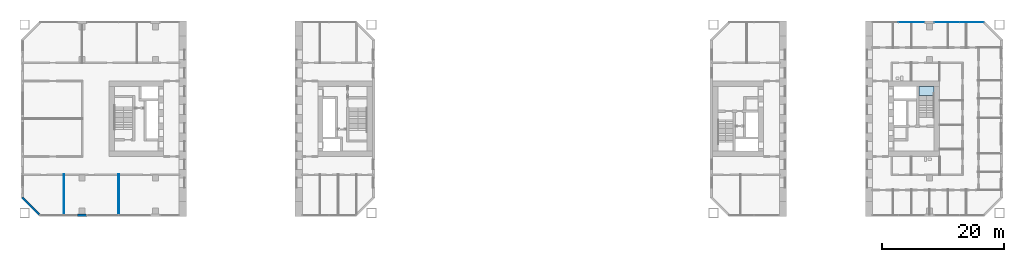
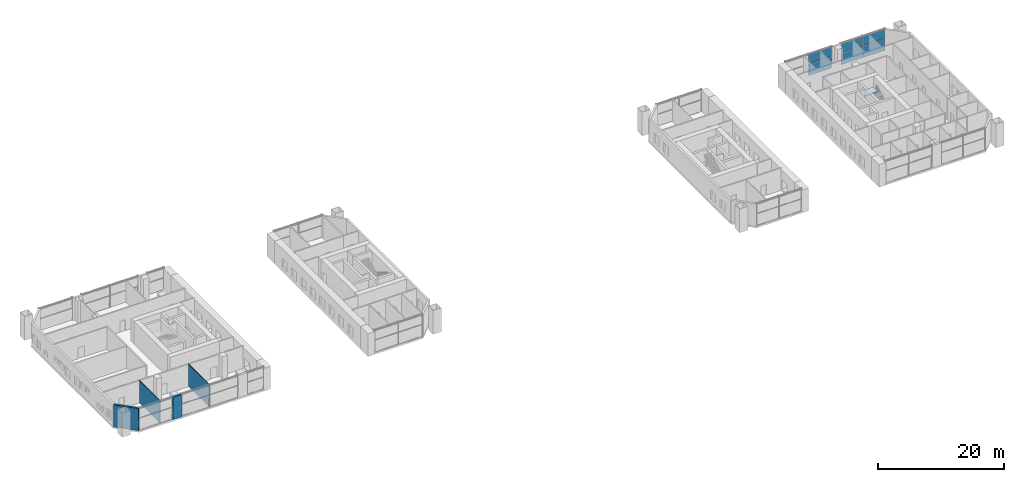
# One storey, part 8 of 19: 6 plates, 4 walls, 1 slab, 3 elements without a shape of their own.
"""IFC4 building model written with IfcOpenShell, lengths in metres."""

from ifc_helpers import new_model, si_unit, direction, frame, frame_2d, origin, origin_2d, place, context, subcontext, project, spatial, polyline, rectangle, outline, extrude, material, layer, layer_set, type_object, element, aggregate, save


model = new_model("IFC4")

# Units and contexts
model_context = context("Model", 3, precision=1e-05, world=origin(), true_north=direction((0.0, 1.0)))
body_context = subcontext(model_context, "Body", "Model", "MODEL_VIEW")
ifc_project = project(units=[si_unit("LENGTHUNIT", "METRE"), si_unit("AREAUNIT", "SQUARE_METRE"), si_unit("VOLUMEUNIT", "CUBIC_METRE"), si_unit("PLANEANGLEUNIT", "RADIAN"), si_unit("MASSUNIT", "GRAM", prefix="KILO")], contexts=[model_context])

# Site, building, storey
site_placement = place(None, origin())
site = spatial("IfcSite", under=ifc_project, at=site_placement, CompositionType="ELEMENT")
building_placement = place(site_placement, origin())
building = spatial("IfcBuilding", under=site, at=building_placement, Name="Tuart Gate Housing", CompositionType="ELEMENT")
storey_placement = place(building_placement, frame((0.0, 0.0, 10.10009765625)))
storey = spatial("IfcBuildingStorey", under=building, at=storey_placement, Name="L02", CompositionType="ELEMENT", Elevation=10.10009765625)

# Curtain wall, plates
ifc_material_1 = material(Name="Aluminium and clear glass", Category="aluminium")
curtain_wall_type = type_object("IfcCurtainWallType", Name="Podium health glazing", PredefinedType="USERDEFINED", material=ifc_material_1)
curtain_wall_1_placement = place(storey_placement, origin())
curtain_wall_1 = element("IfcCurtainWall", 1, at=curtain_wall_1_placement, inside=storey, type_object=curtain_wall_type, Name="Podium health glazing B-N L02", ObjectType="PODIUM HEALTH GLAZING", PredefinedType="USERDEFINED")
ifc_material_2 = material(Name="Clear glass", Category="glass")
ifc_layer_1 = layer(ifc_material_2, 0.028076171875)
ifc_layer_set_1 = layer_set([ifc_layer_1], Name="Glazed panel 28")
plate_type = type_object("IfcPlateType", Name="Glazed panel 28", PredefinedType="CURTAIN_PANEL", material=ifc_layer_set_1)
plate_1_placement = place(storey_placement, frame((173.879150390625, 85.820068359375, 0.1201171875), z_axis=(0.0, 0.0, 1.0), x_axis=(-1.0, 0.0, 0.0)))
plate_1 = element("IfcPlate", 2, at=plate_1_placement, type_object=plate_type, Name="CW1 panel 1.1", PredefinedType="CURTAIN_PANEL", context=body_context, shape_type="SweptSolid", body=[
    extrude(rectangle(XDim=3.97265625, YDim=0.028076171875, at=origin_2d()), origin(), (0.0, 0.0, 1.0), 2.219970703125),
])
plate_2_placement = place(storey_placement, frame((173.879150390625, 85.820068359375, 2.4599609375), z_axis=(0.0, 0.0, 1.0), x_axis=(-1.0, 0.0, 0.0)))
plate_2 = element("IfcPlate", 3, at=plate_2_placement, type_object=plate_type, Name="CW1 panel 1.2", PredefinedType="CURTAIN_PANEL", context=body_context, shape_type="SweptSolid", body=[
    extrude(rectangle(XDim=3.97265625, YDim=0.028076171875, at=origin_2d()), origin(), (0.0, 0.0, 1.0), 1.719970703125),
])
plate_3_placement = place(storey_placement, frame((169.846435546875, 85.820068359375, 0.1201171875), z_axis=(0.0, 0.0, 1.0), x_axis=(-1.0, 0.0, 0.0)))
plate_3 = element("IfcPlate", 4, at=plate_3_placement, type_object=plate_type, Name="CW1 panel 2.1", PredefinedType="CURTAIN_PANEL", context=body_context, shape_type="SweptSolid", body=[
    extrude(rectangle(XDim=3.97265625, YDim=0.028076171875, at=origin_2d()), origin(), (0.0, 0.0, 1.0), 2.219970703125),
])
plate_4_placement = place(storey_placement, frame((169.846435546875, 85.820068359375, 2.4599609375), z_axis=(0.0, 0.0, 1.0), x_axis=(-1.0, 0.0, 0.0)))
plate_4 = element("IfcPlate", 5, at=plate_4_placement, type_object=plate_type, Name="CW1 panel 2.2", PredefinedType="CURTAIN_PANEL", context=body_context, shape_type="SweptSolid", body=[
    extrude(rectangle(XDim=3.97265625, YDim=0.028076171875, at=origin_2d()), origin(), (0.0, 0.0, 1.0), 1.719970703125),
])
aggregate(curtain_wall_1, [plate_1, plate_2, plate_3, plate_4])

curtain_wall_2_placement = place(storey_placement, origin())
curtain_wall_2 = element("IfcCurtainWall", 6, at=curtain_wall_2_placement, inside=storey, type_object=curtain_wall_type, Name="Podium health glazing B-N L02", ObjectType="PODIUM HEALTH GLAZING", PredefinedType="USERDEFINED")
plate_5_placement = place(storey_placement, frame((164.047607421875, 85.820068359375, 0.1201171875), z_axis=(0.0, 0.0, 1.0), x_axis=(-1.0, 0.0, 0.0)))
plate_5 = element("IfcPlate", 7, at=plate_5_placement, type_object=plate_type, Name="CW1 panel 1.1", PredefinedType="CURTAIN_PANEL", context=body_context, shape_type="SweptSolid", body=[
    extrude(rectangle(XDim=4.18505859375, YDim=0.028076171875, at=origin_2d()), origin(), (0.0, 0.0, 1.0), 2.219970703125),
])
plate_6_placement = place(storey_placement, frame((164.047607421875, 85.820068359375, 2.4599609375), z_axis=(0.0, 0.0, 1.0), x_axis=(-1.0, 0.0, 0.0)))
plate_6 = element("IfcPlate", 8, at=plate_6_placement, type_object=plate_type, Name="CW1 panel 1.2", PredefinedType="CURTAIN_PANEL", context=body_context, shape_type="SweptSolid", body=[
    extrude(rectangle(XDim=4.18505859375, YDim=0.028076171875, at=origin_2d()), origin(), (0.0, 0.0, 1.0), 1.719970703125),
])
aggregate(curtain_wall_2, [plate_5, plate_6])

# Stair, slab
ifc_material_3 = material(Name="Concrete C40", Category="concrete")
stair_type = type_object("IfcStairType", Name="Core stair 1250", PredefinedType="HALF_TURN_STAIR", material=ifc_material_3)
stair_placement = place(storey_placement, origin())
stair = element("IfcStair", 9, at=stair_placement, inside=storey, type_object=stair_type, Name="Stair SB2", PredefinedType="HALF_TURN_STAIR")
ifc_material_4 = material(Name="Concrete C40", Category="concrete")
ifc_layer_2 = layer(ifc_material_4, 0.199951171875)
ifc_layer_set_2 = layer_set([ifc_layer_2], Name="Stair landing 200")
slab_type = type_object("IfcSlabType", Name="Stair landing 200", PredefinedType="LANDING", material=ifc_layer_set_2)
slab_placement = place(storey_placement, frame((0.0, 0.0, 2.099853515625)))
slab = element("IfcSlab", 10, at=slab_placement, type_object=slab_type, Name="SB2 landing 1", PredefinedType="LANDING", context=body_context, shape_type="SweptSolid", body=[
    extrude(outline(polyline([(165.239990234375, 73.840087890625), (167.739990234375, 73.840087890625), (167.739990234375, 75.300048828125), (165.239990234375, 75.300048828125), (165.239990234375, 73.840087890625)])), origin(), (0.0, 0.0, 1.0), 0.199951171875),
])
aggregate(stair, [slab])

# Walls
ifc_material_5 = material(Name="Brick", Category="masonry")
ifc_layer_3 = layer(ifc_material_5, 0.360107421875)
ifc_layer_set_3 = layer_set([ifc_layer_3], Name="Brick pier and spandrel wall 360")
wall_type_1 = type_object("IfcWallType", Name="Brick pier and spandrel wall 360", PredefinedType="STANDARD", material=ifc_layer_set_3)
wall_1_placement = place(storey_placement, frame((18.179931640625, 57.07470703125, 0.0), z_axis=(0.0, 0.0, 1.0), x_axis=(0.707106781187, -0.707106781187, 0.0)))
element("IfcWall", 11, at=wall_1_placement, inside=storey, type_object=wall_type_1, Name="External wall A-SW L02", PredefinedType="STANDARD", context=body_context, shape_type="SweptSolid", body=[
    extrude(rectangle(XDim=4.09375, YDim=0.360107421875, at=frame_2d((2.046875, 0.0))), origin(), (0.0, 0.0, 1.0), 4.2998046875),
])
wall_2_placement = place(storey_placement, frame((27.199951171875, 54.179931640625, 0.0), z_axis=(0.0, 0.0, 1.0), x_axis=(1.0, 0.0, 0.0)))
element("IfcWall", 12, at=wall_2_placement, inside=storey, type_object=wall_type_1, Name="External wall A-S L02", PredefinedType="STANDARD", context=body_context, shape_type="SweptSolid", body=[
    extrude(rectangle(XDim=1.60009765625, YDim=0.360107421875, at=frame_2d((0.800048828125, 0.0))), origin(), (0.0, 0.0, 1.0), 4.2998046875),
])
ifc_material_6 = material(Name="Gypsum board on steel studs", Category="steel")
ifc_layer_4 = layer(ifc_material_6, 0.10009765625)
ifc_layer_set_4 = layer_set([ifc_layer_4], Name="Partition 100")
wall_type_2 = type_object("IfcWallType", Name="Partition 100", PredefinedType="PARTITIONING", material=ifc_layer_set_4)
for number, where, z_axis, x_axis, name in (
    (13, (25.0, 54.239990234375, 0.0), (0.0, 0.0, 1.0), (0.0, 1.0, 0.0), "Partition 100"),
    (14, (34.0, 54.239990234375, 0.0), (0.0, 0.0, 1.0), (0.0, 1.0, 0.0), "Partition 100"),
):
    element("IfcWall", number, at=place(storey_placement, frame(where, z_axis=z_axis, x_axis=x_axis)), inside=storey, type_object=wall_type_2, Name=name, PredefinedType="PARTITIONING", context=body_context, shape_type="SweptSolid", body=[
        extrude(rectangle(XDim=6.659912109375, YDim=0.10009765625, at=frame_2d((3.330078125, 0.0))), origin(), (0.0, 0.0, 1.0), 4.2998046875),
    ])

save(model, "model.ifc")
